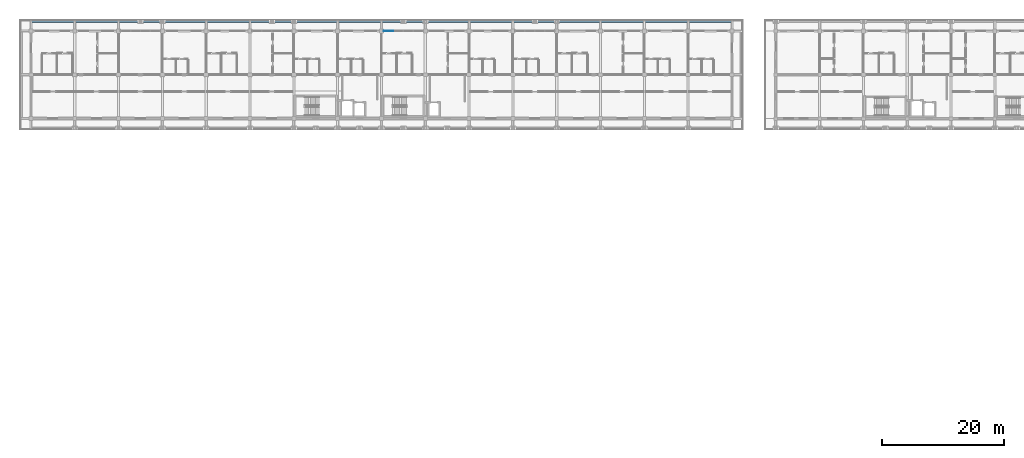
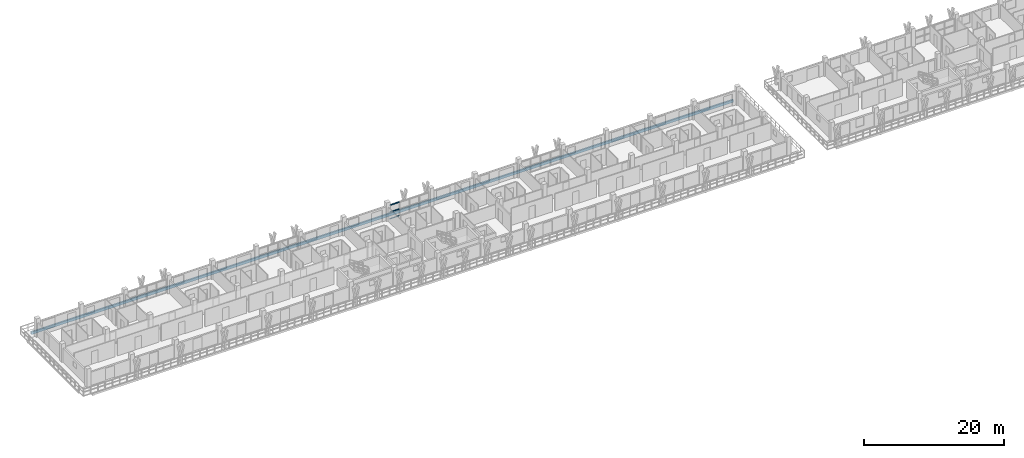
# One storey, part 17 of 78: 3 members, 1 beam, 1 element without a shape of its own.
"""IFC4 building model written with IfcOpenShell, lengths in metres."""

from ifc_helpers import new_model, si_unit, direction, frame, origin, origin_2d, place, context, subcontext, project, spatial, rectangle, hollow_rectangle, extrude, material, material_profile, profile_set, type_object, element, aggregate, save


model = new_model("IFC4")

# Units and contexts
model_context = context("Model", 3, precision=1e-05, world=origin(), true_north=direction((0.0, 1.0)))
body_context = subcontext(model_context, "Body", "Model", "MODEL_VIEW")
ifc_project = project(units=[si_unit("LENGTHUNIT", "METRE"), si_unit("AREAUNIT", "SQUARE_METRE"), si_unit("VOLUMEUNIT", "CUBIC_METRE"), si_unit("PLANEANGLEUNIT", "RADIAN"), si_unit("MASSUNIT", "GRAM", prefix="KILO")], contexts=[model_context])

# Site, building, storey
site_placement = place(None, origin())
site = spatial("IfcSite", under=ifc_project, at=site_placement, CompositionType="ELEMENT")
building_placement = place(site_placement, origin())
building = spatial("IfcBuilding", under=site, at=building_placement, Name="Suanplinth Sawtooth Commons", CompositionType="ELEMENT")
storey_placement = place(building_placement, frame((0.0, 0.0, 15.39990234375)))
storey = spatial("IfcBuildingStorey", under=building, at=storey_placement, Name="L04", CompositionType="ELEMENT", Elevation=15.39990234375)

# Beam
ifc_material_1 = material(Name="Precast concrete C40/50", Category="concrete")
ifc_material_profile_1 = material_profile(ifc_material_1, rectangle(XDim=0.25, YDim=0.449951171875, at=origin_2d()), Name="PC-SP 250x450")
ifc_profile_set_1 = profile_set([ifc_material_profile_1], Name="Precast concrete C40/50")
beam_type = type_object("IfcBeamType", Name="B-09", PredefinedType="SPANDREL", material=ifc_profile_set_1)
beam_placement = place(storey_placement, frame((-0.14990234375, 123.919921875, -0.40478515625), z_axis=(1.0, 0.0, 0.0), x_axis=(0.0, 1.0, 0.0)))
element("IfcBeam", 1, at=beam_placement, inside=storey, type_object=beam_type, Name="Balcony Edge Fascia L04-A-N", PredefinedType="SPANDREL", context=body_context, shape_type="SweptSolid", body=[
    extrude(rectangle(XDim=0.25, YDim=0.449951171875, at=origin_2d()), origin(), (0.0, 0.0, 1.0), 115.5),
])

# Curtain wall, members
ifc_material_2 = material(Name="Anodized aluminium and low-E glazing", Category="aluminium")
curtain_wall_type = type_object("IfcCurtainWallType", Name="CW-06", PredefinedType="USERDEFINED", material=ifc_material_2)
curtain_wall_placement = place(storey_placement, origin())
curtain_wall = element("IfcCurtainWall", 2, at=curtain_wall_placement, inside=storey, type_object=curtain_wall_type, Name="Curtain Wall CW-L04-A-LOUNGE-8", ObjectType="CURTAIN WALL", PredefinedType="USERDEFINED")
ifc_material_3 = material(Name="Anodized aluminium 6063-T6", Category="aluminium")
ifc_material_profile_2 = material_profile(ifc_material_3, hollow_rectangle(XDim=0.06494140625, YDim=0.1201171875, WallThickness=0.00390625, at=origin_2d()), Name="ALU-TRN 65x120")
ifc_profile_set_2 = profile_set([ifc_material_profile_2], Name="Anodized aluminium 6063-T6")
member_type = type_object("IfcMemberType", Name="M-15", PredefinedType="USERDEFINED", material=ifc_profile_set_2)
member_1_placement = place(storey_placement, frame((57.989990234375, 122.39990234375, 0.03271484375), z_axis=(1.0, 0.0, 0.0), x_axis=(0.0, 1.0, 0.0)))
member_1 = element("IfcMember", 3, at=member_1_placement, type_object=member_type, Name="CW-06 transom 1.1", ObjectType="TRANSOM", PredefinedType="USERDEFINED", context=body_context, shape_type="SweptSolid", body=[
    extrude(hollow_rectangle(XDim=0.06494140625, YDim=0.1201171875, WallThickness=0.00390625, at=origin_2d()), origin(), (0.0, 0.0, 1.0), 1.5400390625),
])
member_2_placement = place(storey_placement, frame((57.989990234375, 122.39990234375, 1.215087890625), z_axis=(1.0, 0.0, 0.0), x_axis=(0.0, 1.0, 0.0)))
member_2 = element("IfcMember", 4, at=member_2_placement, type_object=member_type, Name="CW-06 transom 1.2", ObjectType="TRANSOM", PredefinedType="USERDEFINED", context=body_context, shape_type="SweptSolid", body=[
    extrude(hollow_rectangle(XDim=0.06494140625, YDim=0.1201171875, WallThickness=0.00390625, at=origin_2d()), origin(), (0.0, 0.0, 1.0), 1.5400390625),
])
member_3_placement = place(storey_placement, frame((57.989990234375, 122.39990234375, 2.397705078125), z_axis=(1.0, 0.0, 0.0), x_axis=(0.0, 1.0, 0.0)))
member_3 = element("IfcMember", 5, at=member_3_placement, type_object=member_type, Name="CW-06 transom 1.3", ObjectType="TRANSOM", PredefinedType="USERDEFINED", context=body_context, shape_type="SweptSolid", body=[
    extrude(hollow_rectangle(XDim=0.06494140625, YDim=0.1201171875, WallThickness=0.00390625, at=origin_2d()), origin(), (0.0, 0.0, 1.0), 1.5400390625),
])
aggregate(curtain_wall, [member_1, member_2, member_3])

save(model, "model.ifc")
